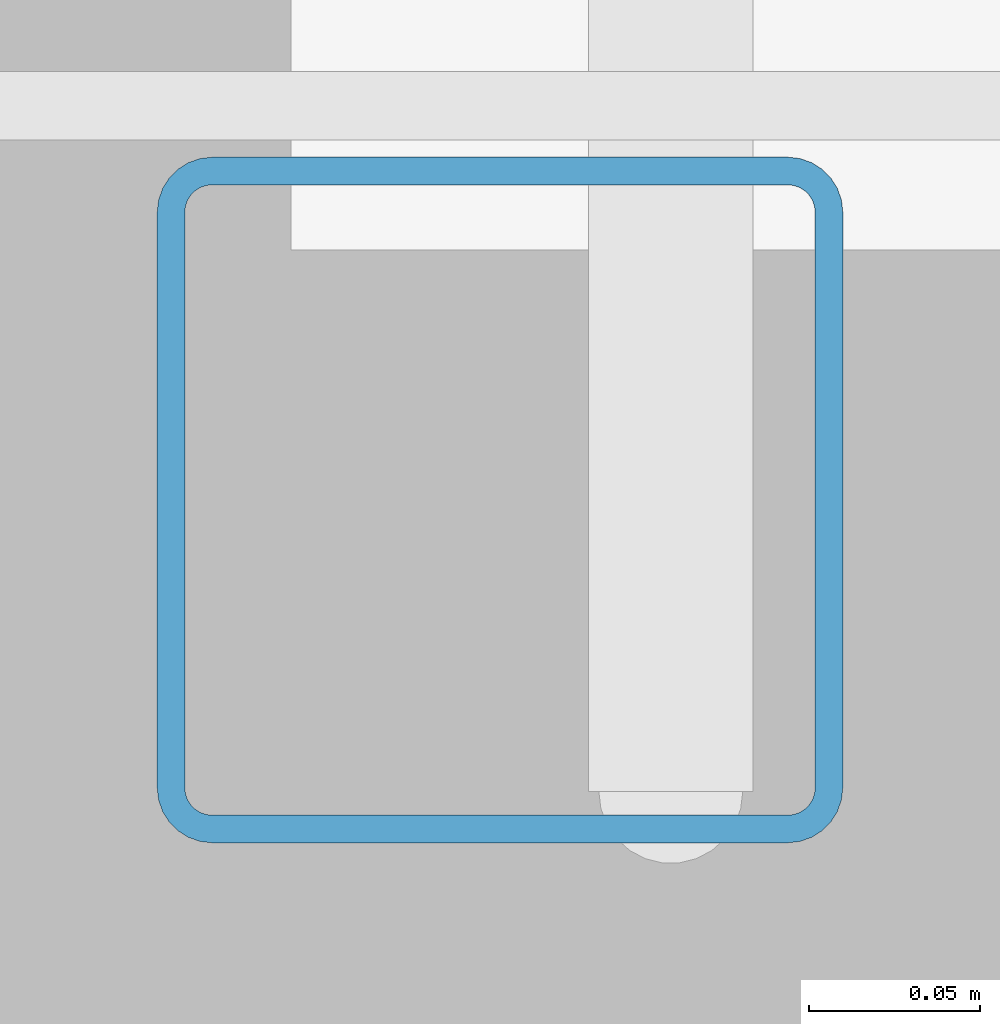
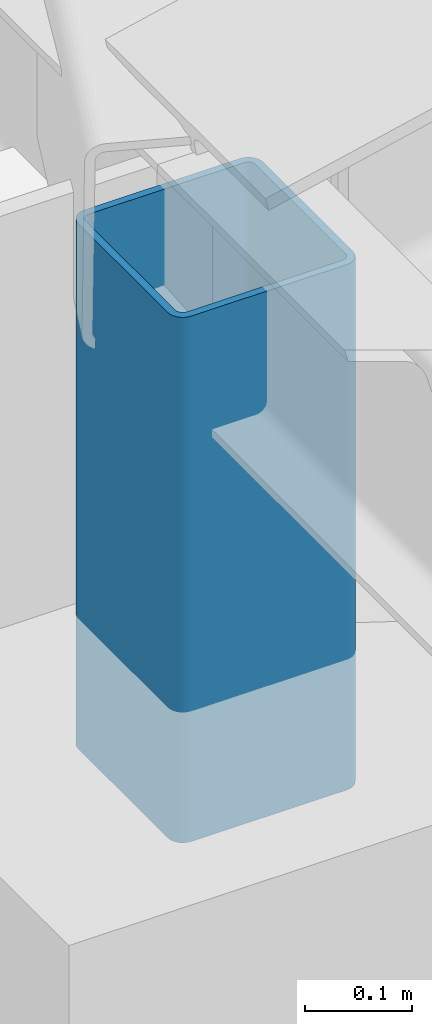
# One storey, part 87 of 139: 1 member.
"""IFC4 building model written with IfcOpenShell, lengths in metres."""

import ifcopenshell
import ifcopenshell.guid

model = None  # the IFC model being written
_history = None  # IfcOwnerHistory: only IFC2X3 demands one
_inside = {}  # id of a spatial element -> (the spatial element, [elements in it])
_under = {}  # id of a project, library or spatial element -> (it, [spatial elements below it])
_declared = {}  # id of a project -> (the project, [libraries it declares])
_typed = {}  # id of a type object -> (the type object, [elements of that type])
_made_of = {}  # id of a material, layer set ... -> (it, [elements and type objects made of it])


def new_model(schema):
    """Start an empty IFC model of exactly this schema.

    Asked for "IFC4X3", IfcOpenShell would pick the latest addendum, in which some entities
    have other attributes; the version numbers below select the first issue.
    IFC2X3 requires an IfcOwnerHistory on every rooted entity: one is made here for all.
    """
    global model, _history
    if schema == "IFC4X3":
        model = ifcopenshell.file(schema_version=(4, 3, 0, 0))
    else:
        model = ifcopenshell.file(schema=schema)
    _inside.clear()
    _under.clear()
    _declared.clear()
    _typed.clear()
    _made_of.clear()
    _history = None
    if model.schema == "IFC2X3":
        org = make("IfcOrganization", Name="unknown")
        user = make(
            "IfcPersonAndOrganization",
            ThePerson=make("IfcPerson", FamilyName="unknown"),
            TheOrganization=org,
        )
        app = make(
            "IfcApplication",
            ApplicationDeveloper=org,
            Version="unknown",
            ApplicationFullName="unknown",
            ApplicationIdentifier="unknown",
        )
        _history = make(
            "IfcOwnerHistory",
            OwningUser=user,
            OwningApplication=app,
            ChangeAction="ADDED",
            CreationDate=0,
        )
    return model


def make(cls, **values):
    """One entity of the class cls with the attributes given. An attribute that is None is left unset."""
    return model.create_entity(
        cls, **{name: value for name, value in values.items() if value is not None}
    )


def rooted(cls, **values):
    """An entity with a GlobalId (a new one), such as an element, a storey or a relation."""
    return make(cls, GlobalId=ifcopenshell.guid.new(), OwnerHistory=_history, **values)


def si_unit(unit_type, name, prefix=None):
    """IfcSIUnit, for example si_unit("LENGTHUNIT", "METRE", prefix="MILLI")."""
    return make("IfcSIUnit", UnitType=unit_type, Prefix=prefix, Name=name)


def assignment(units):
    """IfcUnitAssignment: the units of a project."""
    return None if units is None else make("IfcUnitAssignment", Units=units)


def point(xyz):
    """IfcCartesianPoint."""
    return None if xyz is None else make("IfcCartesianPoint", Coordinates=xyz)


def direction(xyz):
    """IfcDirection."""
    return None if xyz is None else make("IfcDirection", DirectionRatios=xyz)


def frame(location, z_axis=None, x_axis=None):
    """IfcAxis2Placement3D, a coordinate frame: its origin and axes. An axis left out is left unset."""
    return make(
        "IfcAxis2Placement3D",
        Location=point(location),
        Axis=direction(z_axis),
        RefDirection=direction(x_axis),
    )


def frame_2d(location, x_axis=None):
    """IfcAxis2Placement2D, a coordinate frame in the plane: its origin and x axis."""
    return make(
        "IfcAxis2Placement2D", Location=point(location), RefDirection=direction(x_axis)
    )


def origin():
    """The frame at (0, 0, 0) with its axes left unset."""
    return frame((0.0, 0.0, 0.0))


def origin_2d():
    """The frame at (0, 0) in the plane with its x axis left unset."""
    return frame_2d((0.0, 0.0))


def place(relative_to, where):
    """IfcLocalPlacement: puts the frame where relative to a parent placement (None: the world)."""
    return make(
        "IfcLocalPlacement", PlacementRelTo=relative_to, RelativePlacement=where
    )


def context(
    kind, dimensions, precision=None, world=None, true_north=None, identifier=None
):
    """IfcGeometricRepresentationContext, for example the 3D "Model" context."""
    return make(
        "IfcGeometricRepresentationContext",
        ContextIdentifier=identifier,
        ContextType=kind,
        CoordinateSpaceDimension=dimensions,
        Precision=precision,
        WorldCoordinateSystem=world,
        TrueNorth=true_north,
    )


def subcontext(parent, identifier, kind, view, scale=None):
    """IfcGeometricRepresentationSubContext, for example "Body" below "Model"."""
    return make(
        "IfcGeometricRepresentationSubContext",
        ContextIdentifier=identifier,
        ContextType=kind,
        ParentContext=parent,
        TargetScale=scale,
        TargetView=view,
    )


def project(units=None, contexts=None):
    """IfcProject with its units and contexts."""
    return rooted(
        "IfcProject",
        Name="project",
        RepresentationContexts=contexts,
        UnitsInContext=assignment(units),
    )


def spatial(cls, under=None, at=None, **own):
    """A site, building, storey or space (cls), placed at a placement, below another one or the project."""
    s = rooted(cls, ObjectPlacement=at, **own)
    if under is not None:
        _under.setdefault(under.id(), (under, []))[1].append(s)
    return s


def profile(cls, at=None, kind="AREA", **sizes):
    """A parametric profile (cls). Its sizes go by their IFC names, for example OverallWidth=200.0."""
    return make(cls, ProfileType=kind, Position=at, **sizes)


def hollow_rectangle(**sizes):
    """IfcRectangleHollowProfileDef."""
    return profile("IfcRectangleHollowProfileDef", **sizes)


def extrude(swept, where, along, depth):
    """IfcExtrudedAreaSolid: the profile swept, set in the frame where, extruded along a direction by depth."""
    return make(
        "IfcExtrudedAreaSolid",
        SweptArea=swept,
        Position=where,
        ExtrudedDirection=direction(along),
        Depth=depth,
    )


def shape(context_of_items, identifier, shape_type, items):
    """IfcShapeRepresentation: the items that make up one representation, for example the "Body"."""
    return make(
        "IfcShapeRepresentation",
        ContextOfItems=context_of_items,
        RepresentationIdentifier=identifier,
        RepresentationType=shape_type,
        Items=items,
    )


def material(Name=None, Category=None):
    """IfcMaterial."""
    return make("IfcMaterial", Name=Name, Category=Category)


def material_profile(
    of_material, cross_section, Name=None, Category=None, Priority=None
):
    """IfcMaterialProfile: a cross section and its material."""
    return make(
        "IfcMaterialProfile",
        Name=Name,
        Material=of_material,
        Profile=cross_section,
        Priority=Priority,
        Category=Category,
    )


def profile_set(profiles, Name=None, composite=None):
    """IfcMaterialProfileSet."""
    return make(
        "IfcMaterialProfileSet",
        Name=Name,
        MaterialProfiles=profiles,
        CompositeProfile=composite,
    )


def made_of(thing, what):
    """Note that an element or type object is made of a material, layer set ...; save() writes the relation."""
    if what is not None:
        _made_of.setdefault(what.id(), (what, []))[1].append(thing)
    return thing


def type_object(cls, material=None, **own):
    """A type object (cls), such as IfcWallType, which elements share."""
    return made_of(rooted(cls, **own), material)


def element(
    cls,
    number,
    at=None,
    inside=None,
    cuts=None,
    type_object=None,
    material=None,
    context=None,
    identifier="Body",
    shape_type=None,
    held_by="IfcProductDefinitionShape",
    body=None,
    shapes=None,
    **own,
):
    """One element of the class cls, such as IfcWall. Its Tag is "e" and its number.

    at: its placement. inside: the storey or other place that contains it. cuts: it is an
    opening in that element (IfcRelVoidsElement). A single representation is given by context,
    identifier, shape_type and body (its items); several are given by shapes. held_by: the class
    of the entity that holds the representations. save() writes the other relations.
    """
    e = rooted(cls, Tag="e%d" % number, ObjectPlacement=at, **own)
    if body is not None:
        shapes = [shape(context, identifier, shape_type, body)]
    if shapes is not None:
        e.Representation = make(held_by, Representations=shapes)
    if inside is not None:
        _inside.setdefault(inside.id(), (inside, []))[1].append(e)
    if cuts is not None:
        rooted(
            "IfcRelVoidsElement", RelatingBuildingElement=cuts, RelatedOpeningElement=e
        )
    if type_object is not None:
        _typed.setdefault(type_object.id(), (type_object, []))[1].append(e)
    return made_of(e, material)


def aggregate(whole, parts):
    """IfcRelAggregates: a whole, such as a stair, and the parts it consists of."""
    return rooted("IfcRelAggregates", RelatingObject=whole, RelatedObjects=parts)


def save(model, path):
    """Write the relations noted so far, then the file.

    IfcRelAggregates (storeys below a building ...), IfcRelContainedInSpatialStructure (elements
    in a storey), IfcRelDefinesByType, IfcRelAssociatesMaterial and IfcRelDeclares: one each for
    every whole, place, type object, material and project.
    """
    for whole, parts in _under.values():
        aggregate(whole, parts)
    for where, things in _inside.values():
        rooted(
            "IfcRelContainedInSpatialStructure",
            RelatedElements=things,
            RelatingStructure=where,
        )
    for kind, things in _typed.values():
        rooted("IfcRelDefinesByType", RelatedObjects=things, RelatingType=kind)
    for what, things in _made_of.values():
        rooted("IfcRelAssociatesMaterial", RelatedObjects=things, RelatingMaterial=what)
    for by, libraries in _declared.values():
        rooted("IfcRelDeclares", RelatingContext=by, RelatedDefinitions=libraries)
    model.write(path)


model = new_model("IFC4")

# Units and contexts
model_context = context("Model", 3, precision=1e-05, world=origin(), true_north=direction((0.0, 1.0)))
body_context = subcontext(model_context, "Body", "Model", "MODEL_VIEW")
ifc_project = project(units=[si_unit("LENGTHUNIT", "METRE"), si_unit("AREAUNIT", "SQUARE_METRE"), si_unit("VOLUMEUNIT", "CUBIC_METRE"), si_unit("PLANEANGLEUNIT", "RADIAN"), si_unit("MASSUNIT", "GRAM", prefix="KILO")], contexts=[model_context])

# Site, building, storey
site_placement = place(None, origin())
site = spatial("IfcSite", under=ifc_project, at=site_placement, CompositionType="ELEMENT")
building_placement = place(site_placement, origin())
building = spatial("IfcBuilding", under=site, at=building_placement, Name="Canglan Escarpment Cableway Terminal", CompositionType="ELEMENT")
storey_placement = place(building_placement, frame((0.0, 0.0, 14.39990234375)))
storey = spatial("IfcBuildingStorey", under=building, at=storey_placement, Name="L03", CompositionType="ELEMENT", Elevation=14.39990234375)

# Member
ifc_material = material(Name="Steel Q355B", Category="steel")
ifc_material_profile = material_profile(ifc_material, hollow_rectangle(XDim=0.199951171875, YDim=0.199951171875, WallThickness=0.008056640625, InnerFilletRadius=0.008056640625, OuterFilletRadius=0.01611328125, at=origin_2d()), Name="SHS 200x200x8")
ifc_profile_set = profile_set([ifc_material_profile], Name="Steel Q355B")
member_type = type_object("IfcMemberType", Name="MB-PRATT-WEB-SHS200", PredefinedType="BRACE", material=ifc_profile_set)
member_placement = place(storey_placement, frame((115.10009765625, 70.0, 4.650146484375), z_axis=(0.0, 0.0, 1.0), x_axis=(1.0, 0.0, 0.0)))
element("IfcMember", 1, at=member_placement, inside=storey, type_object=member_type, Name="Cabin Garage ROOF TRUSS strut PT-WB1", PredefinedType="BRACE", context=body_context, shape_type="SweptSolid", body=[
    extrude(hollow_rectangle(XDim=0.199951171875, YDim=0.199951171875, WallThickness=0.008056640625, InnerFilletRadius=0.008056640625, OuterFilletRadius=0.01611328125, at=origin_2d()), origin(), (0.0, 0.0, 1.0), 0.599853515625),
])

save(model, "model.ifc")
